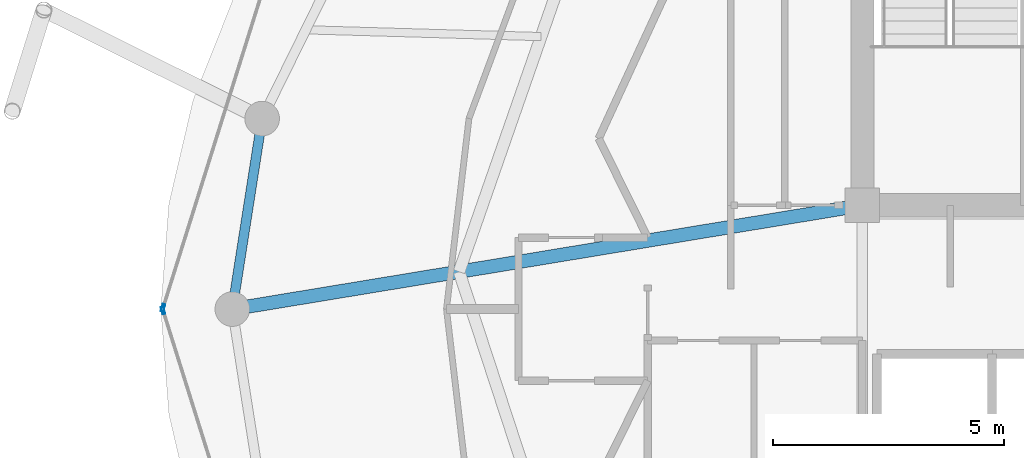
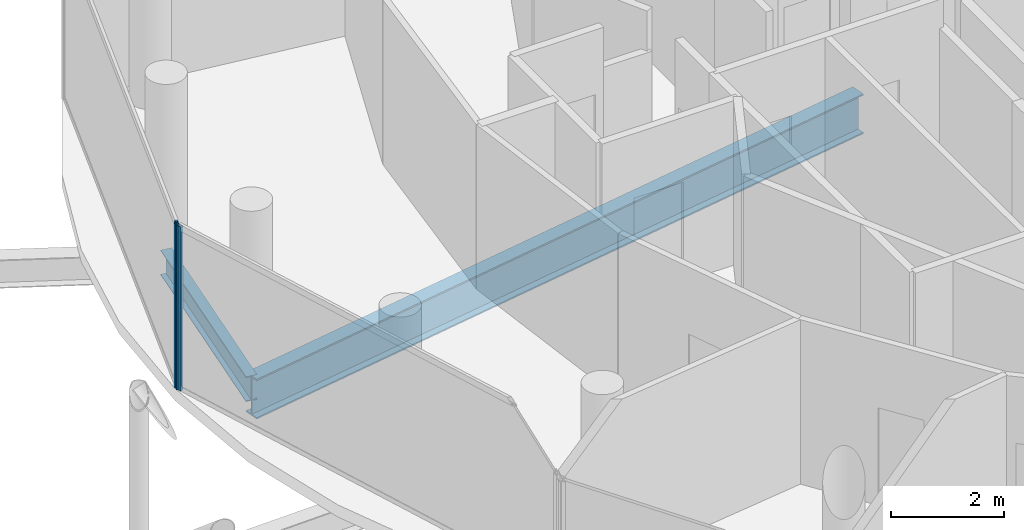
# One storey, part 6 of 24: 2 beams, 2 members, 2 elements without a shape of their own.
"""IFC4 building model written with IfcOpenShell, lengths in metres."""

from ifc_helpers import new_model, si_unit, direction, frame, origin, origin_2d, place, context, subcontext, project, spatial, hollow_rectangle, i_section, extrude, material, layer, layer_set, material_profile, profile_set, type_object, element, aggregate, save


model = new_model("IFC4")

# Units and contexts
model_context = context("Model", 3, precision=1e-05, world=origin(), true_north=direction((0.0, 1.0)))
body_context = subcontext(model_context, "Body", "Model", "MODEL_VIEW")
ifc_project = project(units=[si_unit("LENGTHUNIT", "METRE"), si_unit("AREAUNIT", "SQUARE_METRE"), si_unit("VOLUMEUNIT", "CUBIC_METRE"), si_unit("PLANEANGLEUNIT", "RADIAN"), si_unit("MASSUNIT", "GRAM", prefix="KILO")], contexts=[model_context])

# Site, building, storey
site_placement = place(None, origin())
site = spatial("IfcSite", under=ifc_project, at=site_placement, CompositionType="ELEMENT")
building_placement = place(site_placement, origin())
building = spatial("IfcBuilding", under=site, at=building_placement, Name="Nuhasar Tower", CompositionType="ELEMENT")
storey_placement = place(building_placement, frame((0.0, 0.0, 270.800048828125)))
storey = spatial("IfcBuildingStorey", under=building, at=storey_placement, Name="L67", CompositionType="ELEMENT", Elevation=270.800048828125)

# Beams
ifc_material_1 = material(Name="Steel S355", Category="steel")
ifc_material_profile_1 = material_profile(ifc_material_1, i_section(OverallWidth=0.2919921875, OverallDepth=0.85888671875, WebThickness=0.01708984375, FlangeThickness=0.031005859375, at=origin_2d()), Name="W33X169")
ifc_profile_set_1 = profile_set([ifc_material_profile_1], Name="Steel S355")
beam_type_1 = type_object("IfcBeamType", Name="BM-POD-W33X169", PredefinedType="BEAM", material=ifc_profile_set_1)
beam_1_placement = place(storey_placement, frame((33.699951171875, 29.050048828125, -0.68896484375), z_axis=(-0.986685215874, -0.162641583786, 0.0), x_axis=(0.162641583786, -0.986685215874, 0.0)))
element("IfcBeam", 1, at=beam_1_placement, inside=storey, type_object=beam_type_1, Name="L67 Radial Floor Girder 08", PredefinedType="BEAM", context=body_context, shape_type="SweptSolid", body=[
    extrude(i_section(OverallWidth=0.2919921875, OverallDepth=0.85888671875, WebThickness=0.01708984375, FlangeThickness=0.031005859375, at=origin_2d()), origin(), (0.0, 0.0, 1.0), 13.833984375),
])
ifc_material_profile_2 = material_profile(ifc_material_1, i_section(OverallWidth=0.2099609375, OverallDepth=0.537109375, WebThickness=0.010986328125, FlangeThickness=0.017333984375, at=origin_2d()), Name="W21X68")
ifc_profile_set_2 = profile_set([ifc_material_profile_2], Name="Steel S355")
beam_type_2 = type_object("IfcBeamType", Name="BM-RING-W21X68", PredefinedType="SPANDREL", material=ifc_profile_set_2)
beam_2_placement = place(storey_placement, frame((20.696044921875, 30.927978515625, -0.528076171875), z_axis=(-0.154612165232, -0.987975241776, 0.0), x_axis=(0.987975241776, -0.154612165232, 0.0)))
element("IfcBeam", 2, at=beam_2_placement, inside=storey, type_object=beam_type_2, Name="L67 Perimeter Ring Spandrel 12", PredefinedType="SPANDREL", context=body_context, shape_type="SweptSolid", body=[
    extrude(i_section(OverallWidth=0.2099609375, OverallDepth=0.537109375, WebThickness=0.010986328125, FlangeThickness=0.017333984375, at=origin_2d()), origin(), (0.0, 0.0, 1.0), 4.17822265625),
])

# Curtain wall, member
ifc_material_2 = material(Name="Aluminium 6063-T6", Category="aluminium")
ifc_layer = layer(ifc_material_2, 0.18994140625)
ifc_layer_set = layer_set([ifc_layer], Name="Aluminium 6063-T6")
curtain_wall_type = type_object("IfcCurtainWallType", Name="CW-Z4-PEN", PredefinedType="NOTDEFINED", material=ifc_layer_set)
curtain_wall_1_placement = place(storey_placement, origin())
curtain_wall_1 = element("IfcCurtainWall", 3, at=curtain_wall_1_placement, inside=storey, type_object=curtain_wall_type, Name="L67 Unitised Curtain Wall 06", PredefinedType="NOTDEFINED")
ifc_material_profile_3 = material_profile(ifc_material_2, hollow_rectangle(XDim=0.06005859375, YDim=0.1650390625, WallThickness=0.0048828125, at=origin_2d()), Name="CWM-5")
ifc_profile_set_3 = profile_set([ifc_material_profile_3], Name="Aluminium 6063-T6")
member_type = type_object("IfcMemberType", Name="CW-MUL-S5", PredefinedType="MULLION", material=ifc_profile_set_3)
member_1_placement = place(storey_placement, frame((18.549072265625, 26.82861328125, 0.0), z_axis=(0.0, 0.0, 1.0), x_axis=(0.954078526601, -0.299556614146, 0.0)))
member_1 = element("IfcMember", 4, at=member_1_placement, type_object=member_type, Name="CW-Z4 mullion 2", PredefinedType="MULLION", context=body_context, shape_type="SweptSolid", body=[
    extrude(hollow_rectangle(XDim=0.06005859375, YDim=0.1650390625, WallThickness=0.0048828125, at=origin_2d()), origin(), (0.0, 0.0, 1.0), 3.5400390625),
])
aggregate(curtain_wall_1, [member_1])

curtain_wall_2_placement = place(storey_placement, origin())
curtain_wall_2 = element("IfcCurtainWall", 5, at=curtain_wall_2_placement, inside=storey, type_object=curtain_wall_type, Name="L67 Unitised Curtain Wall 07", PredefinedType="NOTDEFINED")
member_2_placement = place(storey_placement, frame((18.549072265625, 26.771484375, 0.0), z_axis=(0.0, 0.0, 1.0), x_axis=(0.954078526601, 0.299556614146, 0.0)))
member_2 = element("IfcMember", 6, at=member_2_placement, type_object=member_type, Name="CW-Z4 mullion 1", PredefinedType="MULLION", context=body_context, shape_type="SweptSolid", body=[
    extrude(hollow_rectangle(XDim=0.06005859375, YDim=0.1650390625, WallThickness=0.0048828125, at=origin_2d()), origin(), (0.0, 0.0, 1.0), 3.5400390625),
])
aggregate(curtain_wall_2, [member_2])

save(model, "model.ifc")
